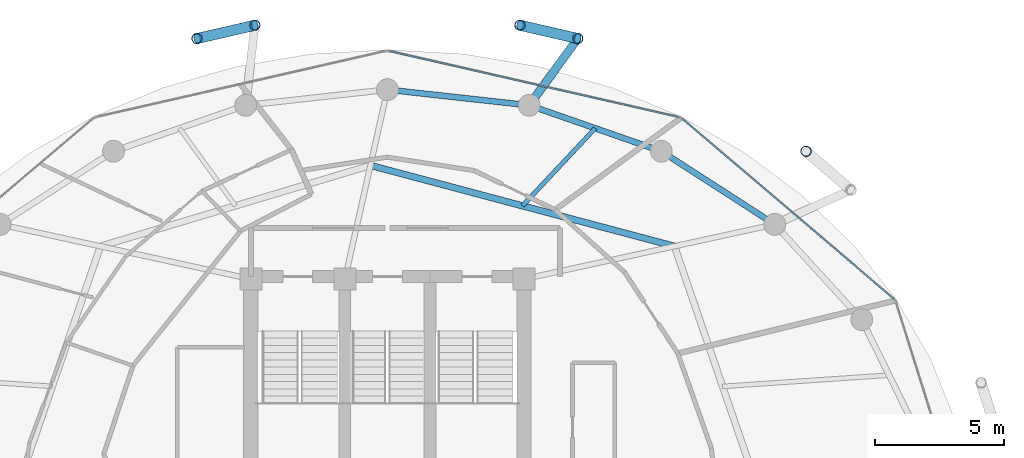
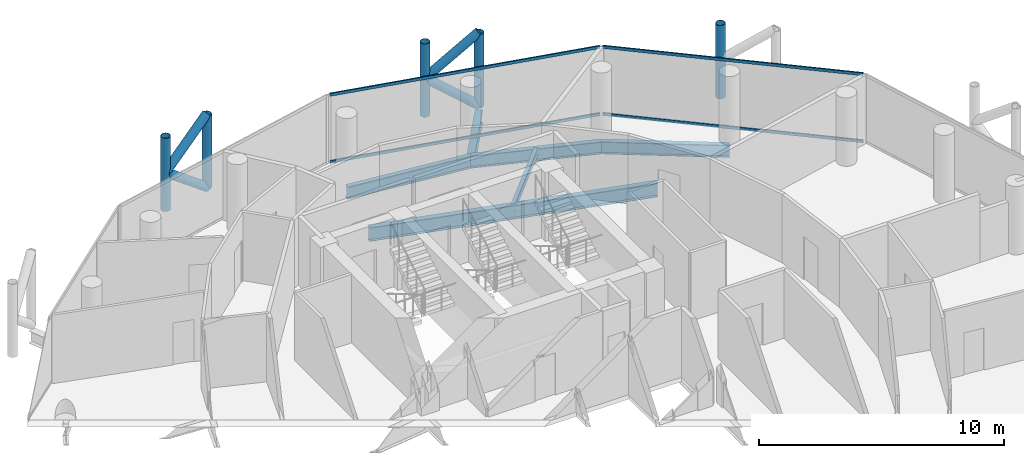
# One storey, part 20 of 28: 13 members, 6 beams, 2 elements without a shape of their own.
"""IFC4 building model written with IfcOpenShell, lengths in metres."""

from ifc_helpers import new_model, si_unit, direction, frame, origin, origin_2d, place, context, subcontext, project, spatial, hollow_rectangle, hollow_circle, i_section, extrude, material, layer, layer_set, material_profile, profile_set, type_object, element, aggregate, save


model = new_model("IFC4")

# Units and contexts
model_context = context("Model", 3, precision=1e-05, world=origin(), true_north=direction((0.0, 1.0)))
body_context = subcontext(model_context, "Body", "Model", "MODEL_VIEW")
ifc_project = project(units=[si_unit("LENGTHUNIT", "METRE"), si_unit("AREAUNIT", "SQUARE_METRE"), si_unit("VOLUMEUNIT", "CUBIC_METRE"), si_unit("PLANEANGLEUNIT", "RADIAN"), si_unit("MASSUNIT", "GRAM", prefix="KILO")], contexts=[model_context])

# Site, building, storey
site_placement = place(None, origin())
site = spatial("IfcSite", under=ifc_project, at=site_placement, CompositionType="ELEMENT")
building_placement = place(site_placement, origin())
building = spatial("IfcBuilding", under=site, at=building_placement, Name="Nuhasar Tower", CompositionType="ELEMENT")
storey_placement = place(building_placement, frame((0.0, 0.0, 222.75)))
storey = spatial("IfcBuildingStorey", under=building, at=storey_placement, Name="L54", CompositionType="ELEMENT", Elevation=222.75)

# Beams
ifc_material_1 = material(Name="Steel S355", Category="steel")
ifc_material_profile_1 = material_profile(ifc_material_1, i_section(OverallWidth=0.25390625, OverallDepth=0.68408203125, WebThickness=0.012451171875, FlangeThickness=0.018798828125, at=origin_2d()), Name="W27X94")
ifc_profile_set_1 = profile_set([ifc_material_profile_1], Name="Steel S355")
beam_type_1 = type_object("IfcBeamType", Name="BM-INRING-W27X94", PredefinedType="BEAM", material=ifc_profile_set_1)
beam_1_placement = place(storey_placement, frame((50.135986328125, 38.572998046875, -0.58203125), z_axis=(-0.966410333243, 0.257004022929, 0.0), x_axis=(-0.257004022929, -0.966410333243, 0.0)))
element("IfcBeam", 1, at=beam_1_placement, inside=storey, type_object=beam_type_1, Name="L54 Inner Header Beam 05", PredefinedType="BEAM", context=body_context, shape_type="SweptSolid", body=[
    extrude(i_section(OverallWidth=0.25390625, OverallDepth=0.68408203125, WebThickness=0.012451171875, FlangeThickness=0.018798828125, at=origin_2d()), origin(), (0.0, 0.0, 1.0), 12.205810546875),
])
ifc_material_profile_2 = material_profile(ifc_material_1, i_section(OverallWidth=0.1708984375, OverallDepth=0.35205078125, WebThickness=0.0068359375, FlangeThickness=0.009765625, at=origin_2d()), Name="W14X30")
ifc_profile_set_2 = profile_set([ifc_material_profile_2], Name="Steel S355")
beam_type_2 = type_object("IfcBeamType", Name="BM-JST-W14X30", PredefinedType="JOIST", material=ifc_profile_set_2)
beam_2_placement = place(storey_placement, frame((44.238037109375, 40.14208984375, -0.416015625), z_axis=(0.684358245116, 0.729145933501, 0.0), x_axis=(-0.729145933501, 0.684358245116, 0.0)))
element("IfcBeam", 2, at=beam_2_placement, inside=storey, type_object=beam_type_2, Name="L54 Secondary Floor Joist 05", PredefinedType="JOIST", context=body_context, shape_type="SweptSolid", body=[
    extrude(i_section(OverallWidth=0.1708984375, OverallDepth=0.35205078125, WebThickness=0.0068359375, FlangeThickness=0.009765625, at=origin_2d()), origin(), (0.0, 0.0, 1.0), 4.12646484375),
])
ifc_material_profile_3 = material_profile(ifc_material_1, i_section(OverallWidth=0.22802734375, OverallDepth=0.60791015625, WebThickness=0.01123046875, FlangeThickness=0.017333984375, at=origin_2d()), Name="W24X76")
ifc_profile_set_3 = profile_set([ifc_material_profile_3], Name="Steel S355")
beam_type_3 = type_object("IfcBeamType", Name="BM-RING-W24X76", PredefinedType="SPANDREL", material=ifc_profile_set_3)
beam_3_placement = place(storey_placement, frame((54.02587890625, 39.422119140625, -0.5439453125), z_axis=(-0.840502144969, 0.541808217272, 0.0), x_axis=(-0.541808217272, -0.840502144969, 0.0)))
element("IfcBeam", 3, at=beam_3_placement, inside=storey, type_object=beam_type_3, Name="L54 Perimeter Ring Spandrel 04", PredefinedType="SPANDREL", context=body_context, shape_type="SweptSolid", body=[
    extrude(i_section(OverallWidth=0.22802734375, OverallDepth=0.60791015625, WebThickness=0.01123046875, FlangeThickness=0.017333984375, at=origin_2d()), origin(), (0.0, 0.0, 1.0), 5.236083984375),
])
beam_4_placement = place(storey_placement, frame((49.625, 42.259033203125, -0.5439453125), z_axis=(-0.944476764686, 0.328578211342, 0.0), x_axis=(-0.328578211342, -0.944476764686, 0.0)))
element("IfcBeam", 4, at=beam_4_placement, inside=storey, type_object=beam_type_3, Name="L54 Perimeter Ring Spandrel 05", PredefinedType="SPANDREL", context=body_context, shape_type="SweptSolid", body=[
    extrude(i_section(OverallWidth=0.22802734375, OverallDepth=0.60791015625, WebThickness=0.01123046875, FlangeThickness=0.017333984375, at=origin_2d()), origin(), (0.0, 0.0, 1.0), 5.42626953125),
])
beam_5_placement = place(storey_placement, frame((44.5, 44.0419921875, -0.5439453125), z_axis=(-0.993947060915, 0.109860093292, 0.0), x_axis=(-0.109860093292, -0.993947060915, 0.0)))
element("IfcBeam", 5, at=beam_5_placement, inside=storey, type_object=beam_type_3, Name="L54 Perimeter Ring Spandrel 06", PredefinedType="SPANDREL", context=body_context, shape_type="SweptSolid", body=[
    extrude(i_section(OverallWidth=0.22802734375, OverallDepth=0.60791015625, WebThickness=0.01123046875, FlangeThickness=0.017333984375, at=origin_2d()), origin(), (0.0, 0.0, 1.0), 5.533447265625),
])
ifc_material_profile_4 = material_profile(ifc_material_1, i_section(OverallWidth=0.323974609375, OverallDepth=0.611083984375, WebThickness=0.0126953125, FlangeThickness=0.01904296875, at=origin_2d()), Name="W24X104")
ifc_profile_set_4 = profile_set([ifc_material_profile_4], Name="Steel S355")
beam_type_4 = type_object("IfcBeamType", Name="BM-TIE-W24X104", PredefinedType="BEAM", material=ifc_profile_set_4)
beam_6_placement = place(storey_placement, frame((44.5, 44.0419921875, -0.5458984375), z_axis=(0.588094663461, 0.808792103577, 0.0), x_axis=(-0.808792103577, 0.588094663461, 0.0)))
element("IfcBeam", 6, at=beam_6_placement, inside=storey, type_object=beam_type_4, Name="L54 Exoskeleton Node Tie Beam 03", PredefinedType="BEAM", context=body_context, shape_type="SweptSolid", body=[
    extrude(i_section(OverallWidth=0.323974609375, OverallDepth=0.611083984375, WebThickness=0.0126953125, FlangeThickness=0.01904296875, at=origin_2d()), origin(), (0.0, 0.0, 1.0), 3.20361328125),
])

# Curtain wall, members
ifc_material_2 = material(Name="Aluminium 6063-T6", Category="aluminium")
ifc_layer = layer(ifc_material_2, 0.18994140625)
ifc_layer_set = layer_set([ifc_layer], Name="Aluminium 6063-T6")
curtain_wall_type = type_object("IfcCurtainWallType", Name="CW-Z3-RES", PredefinedType="NOTDEFINED", material=ifc_layer_set)
curtain_wall_1_placement = place(storey_placement, origin())
curtain_wall_1 = element("IfcCurtainWall", 7, at=curtain_wall_1_placement, inside=storey, type_object=curtain_wall_type, Name="L54 Unitised Curtain Wall 02", PredefinedType="NOTDEFINED")
ifc_material_profile_5 = material_profile(ifc_material_2, hollow_rectangle(XDim=0.06494140625, YDim=0.139892578125, WallThickness=0.00439453125, at=origin_2d()), Name="CWT-4")
ifc_profile_set_5 = profile_set([ifc_material_profile_5], Name="Aluminium 6063-T6")
member_type_1 = type_object("IfcMemberType", Name="CW-TRN-S4", PredefinedType="USERDEFINED", material=ifc_profile_set_5)
member_1_placement = place(storey_placement, frame((58.661376953125, 36.522216796875, 0.032470703125), z_axis=(-0.761730809511, 0.647893643928, 0.0), x_axis=(-0.647893643928, -0.761730809511, 0.0)))
member_1 = element("IfcMember", 8, at=member_1_placement, type_object=member_type_1, Name="CW-Z3 transom 1.1", ObjectType="TRANSOM", PredefinedType="USERDEFINED", context=body_context, shape_type="SweptSolid", body=[
    extrude(hollow_rectangle(XDim=0.06494140625, YDim=0.139892578125, WallThickness=0.00439453125, at=origin_2d()), origin(), (0.0, 0.0, 1.0), 10.806884765625),
])
member_2_placement = place(storey_placement, frame((58.661376953125, 36.522216796875, 3.37744140625), z_axis=(-0.761730809511, 0.647893643928, 0.0), x_axis=(-0.647893643928, -0.761730809511, 0.0)))
member_2 = element("IfcMember", 9, at=member_2_placement, type_object=member_type_1, Name="CW-Z3 transom 1.2", ObjectType="TRANSOM", PredefinedType="USERDEFINED", context=body_context, shape_type="SweptSolid", body=[
    extrude(hollow_rectangle(XDim=0.06494140625, YDim=0.139892578125, WallThickness=0.00439453125, at=origin_2d()), origin(), (0.0, 0.0, 1.0), 10.806884765625),
])
aggregate(curtain_wall_1, [member_1, member_2])

curtain_wall_2_placement = place(storey_placement, origin())
curtain_wall_2 = element("IfcCurtainWall", 10, at=curtain_wall_2_placement, inside=storey, type_object=curtain_wall_type, Name="L54 Unitised Curtain Wall 03", PredefinedType="NOTDEFINED")
member_3_placement = place(storey_placement, frame((50.316650390625, 43.58056640625, 0.032470703125), z_axis=(-0.974994070913, 0.222230874732, 0.0), x_axis=(-0.222230874732, -0.974994070913, 0.0)))
member_3 = element("IfcMember", 11, at=member_3_placement, type_object=member_type_1, Name="CW-Z3 transom 1.1", ObjectType="TRANSOM", PredefinedType="USERDEFINED", context=body_context, shape_type="SweptSolid", body=[
    extrude(hollow_rectangle(XDim=0.06494140625, YDim=0.139892578125, WallThickness=0.00439453125, at=origin_2d()), origin(), (0.0, 0.0, 1.0), 11.541748046875),
])
member_4_placement = place(storey_placement, frame((50.316650390625, 43.58056640625, 3.37744140625), z_axis=(-0.974994070913, 0.222230874732, 0.0), x_axis=(-0.222230874732, -0.974994070913, 0.0)))
member_4 = element("IfcMember", 12, at=member_4_placement, type_object=member_type_1, Name="CW-Z3 transom 1.2", ObjectType="TRANSOM", PredefinedType="USERDEFINED", context=body_context, shape_type="SweptSolid", body=[
    extrude(hollow_rectangle(XDim=0.06494140625, YDim=0.139892578125, WallThickness=0.00439453125, at=origin_2d()), origin(), (0.0, 0.0, 1.0), 11.541748046875),
])
aggregate(curtain_wall_2, [member_3, member_4])

# Members
ifc_material_3 = material(Name="Steel S460", Category="steel")
ifc_material_profile_6 = material_profile(ifc_material_3, hollow_circle(Radius=0.203125, WallThickness=0.01904296875, at=origin_2d()), Name="HSS406.4X19.1")
ifc_profile_set_6 = profile_set([ifc_material_profile_6], Name="Steel S460")
member_type_2 = type_object("IfcMemberType", Name="EXO-BRONZE-406", PredefinedType="BRACE", material=ifc_profile_set_6)
for number, where, z_axis, x_axis, name in (
    (13, (55.239990234375, 42.257080078125, 0.0), (0.0, 0.0, 1.0), (1.0, 0.0, 0.0), "L54 Exoskeleton Chord Column EC-02B"),
    (14, (46.384033203125, 46.633056640625, 0.0), (0.0, 0.0, 1.0), (1.0, 0.0, 0.0), "L54 Exoskeleton Chord Column EC-03A"),
    (15, (44.14306640625, 47.14892578125, 0.0), (0.0, 0.0, 1.0), (1.0, 0.0, 0.0), "L54 Exoskeleton Chord Column EC-03B"),
    (16, (33.85693359375, 47.14892578125, 0.0), (0.0, 0.0, 1.0), (1.0, 0.0, 0.0), "L54 Exoskeleton Chord Column EC-04A"),
    (17, (31.615966796875, 46.633056640625, 0.0), (0.0, 0.0, 1.0), (1.0, 0.0, 0.0), "L54 Exoskeleton Chord Column EC-04B"),
):
    element("IfcMember", number, at=place(storey_placement, frame(where, z_axis=z_axis, x_axis=x_axis)), inside=storey, type_object=member_type_2, Name=name, PredefinedType="BRACE", context=body_context, shape_type="SweptSolid", body=[
        extrude(hollow_circle(Radius=0.203125, WallThickness=0.01904296875, at=origin_2d()), origin(), (0.0, 0.0, 1.0), 3.64990234375),
    ])
for number, where, z_axis, x_axis, name in (
    (18, (46.384033203125, 46.633056640625, 0.0), (-0.763342741922, 0.175721016852, 0.621634927101), (-0.224332214284, -0.974512728308, 0.0), "L54 Bronze Diagrid Brace W1-03"),
    (19, (44.14306640625, 47.14892578125, 1.824951171875), (0.763342741922, -0.175721016852, 0.621634927101), (0.224332214284, 0.974512728308, 0.0), "L54 Bronze Diagrid Brace W2-03"),
    (20, (33.85693359375, 47.14892578125, 0.0), (-0.763342741922, -0.175721016852, 0.621634927101), (0.224332214284, -0.974512728308, 0.0), "L54 Bronze Diagrid Brace W1-04"),
    (21, (31.615966796875, 46.633056640625, 1.824951171875), (0.763342741922, 0.175721016852, 0.621634927101), (-0.224332214284, 0.974512728308, 0.0), "L54 Bronze Diagrid Brace W2-04"),
):
    element("IfcMember", number, at=place(storey_placement, frame(where, z_axis=z_axis, x_axis=x_axis)), inside=storey, type_object=member_type_2, Name=name, PredefinedType="BRACE", context=body_context, shape_type="SweptSolid", body=[
        extrude(hollow_circle(Radius=0.203125, WallThickness=0.01904296875, at=origin_2d()), origin(), (0.0, 0.0, 1.0), 2.935791015625),
    ])

save(model, "model.ifc")
